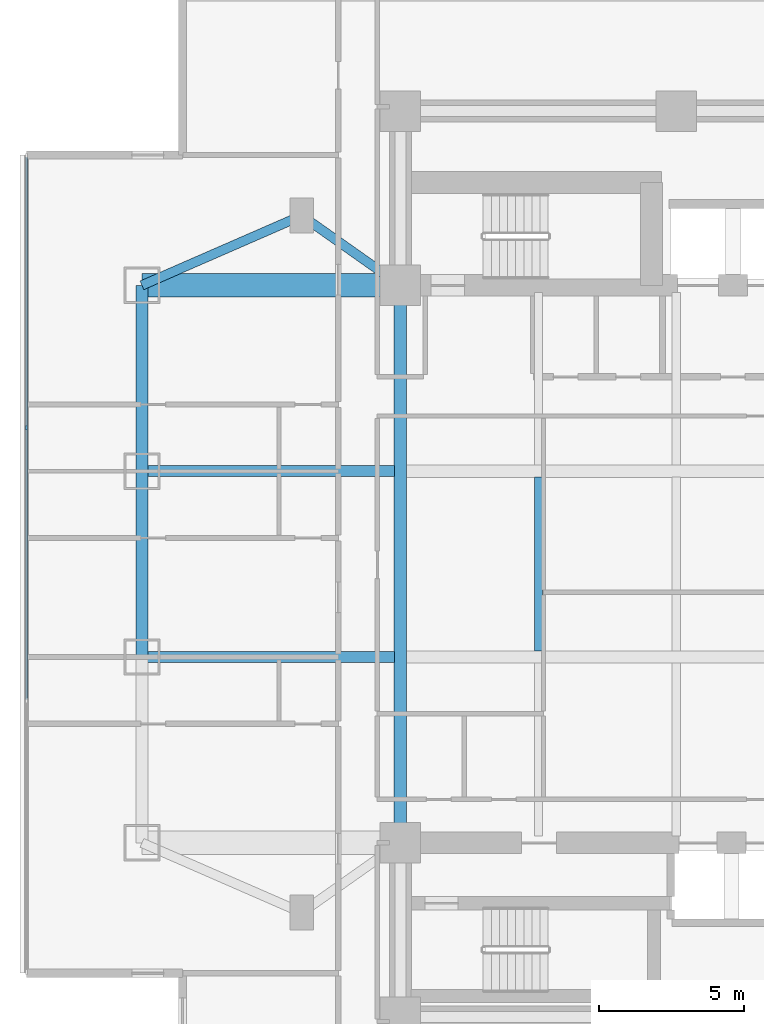
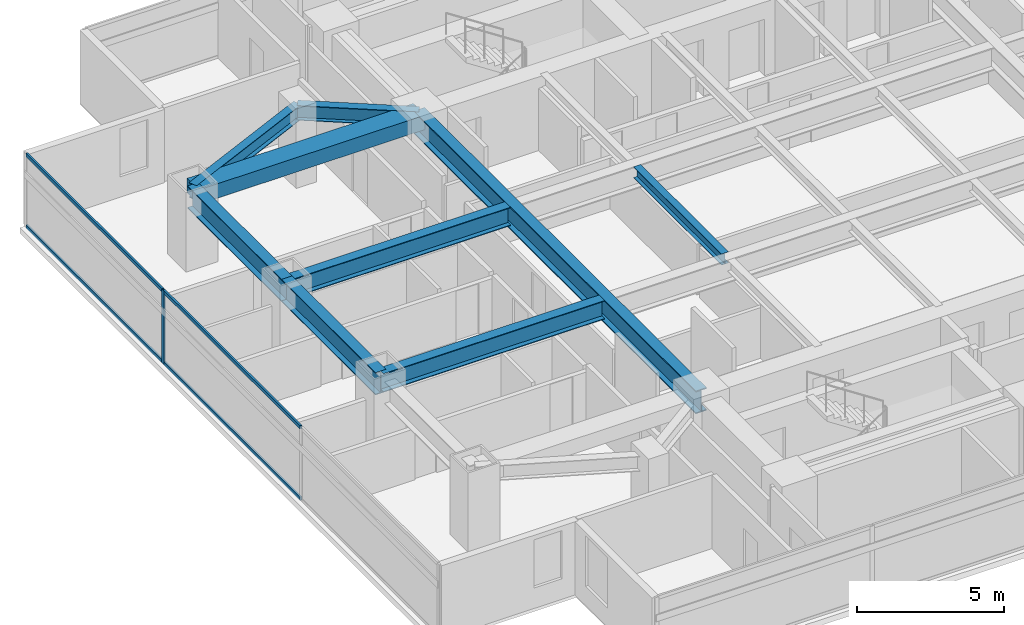
# One storey, part 3 of 26: 9 beams, 5 members, 1 element without a shape of its own.
"""IFC4 building model written with IfcOpenShell, lengths in metres."""

from ifc_helpers import new_model, si_unit, direction, frame, origin, origin_2d, place, context, subcontext, project, spatial, rectangle, i_section, extrude, material, material_profile, profile_set, type_object, element, aggregate, save


model = new_model("IFC4")

# Units and contexts
model_context = context("Model", 3, precision=1e-05, world=origin(), true_north=direction((0.0, 1.0)))
body_context = subcontext(model_context, "Body", "Model", "MODEL_VIEW")
ifc_project = project(units=[si_unit("LENGTHUNIT", "METRE"), si_unit("AREAUNIT", "SQUARE_METRE"), si_unit("VOLUMEUNIT", "CUBIC_METRE"), si_unit("PLANEANGLEUNIT", "RADIAN"), si_unit("MASSUNIT", "GRAM", prefix="KILO")], contexts=[model_context])

# Site, building, storey
site_placement = place(None, origin())
site = spatial("IfcSite", under=ifc_project, at=site_placement, CompositionType="ELEMENT")
building_placement = place(site_placement, origin())
building = spatial("IfcBuilding", under=site, at=building_placement, Name="Mirazonda Arch Towers", CompositionType="ELEMENT")
storey_placement = place(building_placement, frame((0.0, 0.0, 38.89990234375)))
storey = spatial("IfcBuildingStorey", under=building, at=storey_placement, Name="L10", CompositionType="ELEMENT", Elevation=38.89990234375)

# Beams
ifc_material_1 = material(Name="Steel ASTM A992 Grade 50", Category="steel")
ifc_material_profile_1 = material_profile(ifc_material_1, i_section(OverallWidth=0.41796875, OverallDepth=0.927001953125, WebThickness=0.019287109375, FlangeThickness=0.031982421875, at=origin_2d()), Name="W36X231")
ifc_profile_set_1 = profile_set([ifc_material_profile_1], Name="Steel ASTM A992 Grade 50")
beam_type_1 = type_object("IfcBeamType", Name="BM-EXT-W36X231", PredefinedType="USERDEFINED", material=ifc_profile_set_1)
beam_1_placement = place(storey_placement, frame((2.10009765625, 24.800048828125, 2.5966796875), z_axis=(0.0, 1.0, 0.0), x_axis=(-1.0, 0.0, 0.0)))
element("IfcBeam", 1, at=beam_1_placement, inside=storey, type_object=beam_type_1, Name="L10 Floor Beam BM-T1-L10-NS-W-24", ObjectType="GIRDER", PredefinedType="USERDEFINED", context=body_context, shape_type="SweptSolid", body=[
    extrude(i_section(OverallWidth=0.41796875, OverallDepth=0.927001953125, WebThickness=0.019287109375, FlangeThickness=0.031982421875, at=origin_2d()), origin(), (0.0, 0.0, 1.0), 6.39990234375),
])
beam_2_placement = place(storey_placement, frame((2.10009765625, 31.199951171875, 2.5966796875), z_axis=(0.0, 1.0, 0.0), x_axis=(-1.0, 0.0, 0.0)))
element("IfcBeam", 2, at=beam_2_placement, inside=storey, type_object=beam_type_1, Name="L10 Floor Beam BM-T1-L10-NS-W-31", ObjectType="GIRDER", PredefinedType="USERDEFINED", context=body_context, shape_type="SweptSolid", body=[
    extrude(i_section(OverallWidth=0.41796875, OverallDepth=0.927001953125, WebThickness=0.019287109375, FlangeThickness=0.031982421875, at=origin_2d()), origin(), (0.0, 0.0, 1.0), 6.400146484375),
])
ifc_material_profile_2 = material_profile(ifc_material_1, i_section(OverallWidth=0.280029296875, OverallDepth=0.462890625, WebThickness=0.0107421875, FlangeThickness=0.017333984375, at=origin_2d()), Name="W18X76")
ifc_profile_set_2 = profile_set([ifc_material_profile_2], Name="Steel ASTM A992 Grade 50")
beam_type_2 = type_object("IfcBeamType", Name="BM-INT-W18X76", PredefinedType="JOIST", material=ifc_profile_set_2)
beam_3_placement = place(storey_placement, frame((15.75, 25.007568359375, 2.82861328125), z_axis=(0.0, 1.0, 0.0), x_axis=(-1.0, 0.0, 0.0)))
element("IfcBeam", 3, at=beam_3_placement, inside=storey, type_object=beam_type_2, Name="L10 Floor Beam BM-T1-L10-J-157-24", PredefinedType="JOIST", context=body_context, shape_type="SweptSolid", body=[
    extrude(i_section(OverallWidth=0.280029296875, OverallDepth=0.462890625, WebThickness=0.0107421875, FlangeThickness=0.017333984375, at=origin_2d()), origin(), (0.0, 0.0, 1.0), 5.98486328125),
])
ifc_material_profile_3 = material_profile(ifc_material_1, i_section(OverallWidth=0.324951171875, OverallDepth=0.615966796875, WebThickness=0.013916015625, FlangeThickness=0.021484375, at=origin_2d()), Name="W24X117")
ifc_profile_set_3 = profile_set([ifc_material_profile_3], Name="Steel ASTM A992 Grade 50")
beam_type_3 = type_object("IfcBeamType", Name="BM-INT-W24X117", PredefinedType="BEAM", material=ifc_profile_set_3)
beam_4_placement = place(storey_placement, frame((7.60009765625, 40.0, 2.752197265625), z_axis=(0.816971114901, -0.576678591087, 0.0), x_axis=(0.576678591087, 0.816971114901, 0.0)))
element("IfcBeam", 4, at=beam_4_placement, inside=storey, type_object=beam_type_3, Name="L10 Floor Beam BM-T1-L10-PL-NW1", PredefinedType="BEAM", context=body_context, shape_type="SweptSolid", body=[
    extrude(i_section(OverallWidth=0.324951171875, OverallDepth=0.615966796875, WebThickness=0.013916015625, FlangeThickness=0.021484375, at=origin_2d()), origin(), (0.0, 0.0, 1.0), 4.16162109375),
])
beam_5_placement = place(storey_placement, frame((7.60009765625, 40.0, 2.752197265625), z_axis=(-0.916545343703, -0.399930785183, 0.0), x_axis=(0.399930785183, -0.916545343703, 0.0)))
element("IfcBeam", 5, at=beam_5_placement, inside=storey, type_object=beam_type_3, Name="L10 Floor Beam BM-T1-L10-PL-NW2", PredefinedType="BEAM", context=body_context, shape_type="SweptSolid", body=[
    extrude(i_section(OverallWidth=0.324951171875, OverallDepth=0.615966796875, WebThickness=0.013916015625, FlangeThickness=0.021484375, at=origin_2d()), origin(), (0.0, 0.0, 1.0), 6.000732421875),
])
ifc_material_profile_4 = material_profile(ifc_material_1, i_section(OverallWidth=0.381103515625, OverallDepth=0.77294921875, WebThickness=0.0166015625, FlangeThickness=0.027099609375, at=origin_2d()), Name="W30X173")
ifc_profile_set_4 = profile_set([ifc_material_profile_4], Name="Steel ASTM A992 Grade 50")
beam_type_4 = type_object("IfcBeamType", Name="BM-INT-W30X173", PredefinedType="USERDEFINED", material=ifc_profile_set_4)
for number, where, z_axis, x_axis, name in (
    (6, (2.10009765625, 24.800048828125, 2.673583984375), (1.0, 0.0, 0.0), (0.0, 1.0, 0.0), "L10 Floor Beam BM-T1-L10-GW2"),
    (7, (2.10009765625, 31.199951171875, 2.673583984375), (1.0, 0.0, 0.0), (0.0, 1.0, 0.0), "L10 Floor Beam BM-T1-L10-GW3"),
):
    element("IfcBeam", number, at=place(storey_placement, frame(where, z_axis=z_axis, x_axis=x_axis)), inside=storey, type_object=beam_type_4, Name=name, ObjectType="GIRDER", PredefinedType="USERDEFINED", context=body_context, shape_type="SweptSolid", body=[
        extrude(i_section(OverallWidth=0.381103515625, OverallDepth=0.77294921875, WebThickness=0.0166015625, FlangeThickness=0.027099609375, at=origin_2d()), origin(), (0.0, 0.0, 1.0), 8.6884765625),
    ])
ifc_material_profile_5 = material_profile(ifc_material_1, i_section(OverallWidth=0.423095703125, OverallDepth=0.947998046875, WebThickness=0.02392578125, FlangeThickness=0.042724609375, at=origin_2d()), Name="W36X302")
ifc_profile_set_5 = profile_set([ifc_material_profile_5], Name="Steel ASTM A992 Grade 50")
beam_type_5 = type_object("IfcBeamType", Name="BM-INT-W36X302", PredefinedType="USERDEFINED", material=ifc_profile_set_5)
beam_6_placement = place(storey_placement, frame((11.0, 18.39990234375, 2.586181640625), z_axis=(0.0, 1.0, 0.0), x_axis=(-1.0, 0.0, 0.0)))
element("IfcBeam", 8, at=beam_6_placement, inside=storey, type_object=beam_type_5, Name="L10 Floor Beam BM-T1-L10-NS-CW-FULL", ObjectType="GIRDER", PredefinedType="USERDEFINED", context=body_context, shape_type="SweptSolid", body=[
    extrude(i_section(OverallWidth=0.423095703125, OverallDepth=0.947998046875, WebThickness=0.02392578125, FlangeThickness=0.042724609375, at=origin_2d()), origin(), (0.0, 0.0, 1.0), 19.2001953125),
])
ifc_material_2 = material(Name="Concrete C60/75", Category="concrete")
ifc_material_profile_6 = material_profile(ifc_material_2, rectangle(XDim=0.800048828125, YDim=0.60009765625, at=origin_2d()), Name="RCCB800x600")
ifc_profile_set_6 = profile_set([ifc_material_profile_6], Name="Concrete C60/75")
beam_type_6 = type_object("IfcBeamType", Name="CB-INT-RCCB800x600", PredefinedType="SPANDREL", material=ifc_profile_set_6)
beam_7_placement = place(storey_placement, frame((2.10009765625, 37.60009765625, 2.760009765625), z_axis=(1.0, 0.0, 0.0), x_axis=(0.0, 1.0, 0.0)))
element("IfcBeam", 9, at=beam_7_placement, inside=storey, type_object=beam_type_6, Name="L10 Floor Beam CBC-T1-L10-NW", PredefinedType="SPANDREL", context=body_context, shape_type="SweptSolid", body=[
    extrude(rectangle(XDim=0.800048828125, YDim=0.60009765625, at=origin_2d()), origin(), (0.0, 0.0, 1.0), 8.89990234375),
])

# Curtain wall, members
ifc_material_3 = material(Name="Anodised Aluminium and Low-E Glass", Category="aluminium")
curtain_wall_type = type_object("IfcCurtainWallType", Name="CW-HTL-UNIT", PredefinedType="NOTDEFINED", material=ifc_material_3)
curtain_wall_placement = place(storey_placement, origin())
curtain_wall = element("IfcCurtainWall", 10, at=curtain_wall_placement, inside=storey, type_object=curtain_wall_type, Name="L10 T1 W Facade CW-L10-T1-W", PredefinedType="NOTDEFINED")
ifc_material_4 = material(Name="Anodised Aluminium Alloy", Category="aluminium")
ifc_material_profile_7 = material_profile(ifc_material_4, rectangle(XDim=0.074951171875, YDim=0.1650390625, at=origin_2d()), Name="ALU-MULL-75x165")
ifc_profile_set_7 = profile_set([ifc_material_profile_7], Name="Anodised Aluminium Alloy")
member_type_1 = type_object("IfcMemberType", Name="MULL-CW-HTL-UNIT", PredefinedType="MULLION", material=ifc_profile_set_7)
member_1_placement = place(storey_placement, frame((-1.8798828125, 32.69677734375, 0.0), z_axis=(0.0, 0.0, 1.0), x_axis=(1.0, 0.0, 0.0)))
member_1 = element("IfcMember", 11, at=member_1_placement, type_object=member_type_1, Name="CW-112 mullion 2", PredefinedType="MULLION", context=body_context, shape_type="SweptSolid", body=[
    extrude(rectangle(XDim=0.074951171875, YDim=0.1650390625, at=origin_2d()), origin(), (0.0, 0.0, 1.0), 3.0400390625),
])
ifc_material_profile_8 = material_profile(ifc_material_4, rectangle(XDim=0.074951171875, YDim=0.14501953125, at=origin_2d()), Name="ALU-TRAN-75x145")
ifc_profile_set_8 = profile_set([ifc_material_profile_8], Name="Anodised Aluminium Alloy")
member_type_2 = type_object("IfcMemberType", Name="TRAN-CW-HTL-UNIT", PredefinedType="USERDEFINED", material=ifc_profile_set_8)
member_2_placement = place(storey_placement, frame((-1.8798828125, 42.014892578125, 0.03759765625), z_axis=(0.0, -1.0, 0.0), x_axis=(1.0, 0.0, 0.0)))
member_2 = element("IfcMember", 12, at=member_2_placement, type_object=member_type_2, Name="CW-112 transom 1.1", ObjectType="TRANSOM", PredefinedType="USERDEFINED", context=body_context, shape_type="SweptSolid", body=[
    extrude(rectangle(XDim=0.074951171875, YDim=0.14501953125, at=origin_2d()), origin(), (0.0, 0.0, 1.0), 9.28076171875),
])
member_3_placement = place(storey_placement, frame((-1.8798828125, 42.014892578125, 3.002685546875), z_axis=(0.0, -1.0, 0.0), x_axis=(1.0, 0.0, 0.0)))
member_3 = element("IfcMember", 13, at=member_3_placement, type_object=member_type_2, Name="CW-112 transom 1.2", ObjectType="TRANSOM", PredefinedType="USERDEFINED", context=body_context, shape_type="SweptSolid", body=[
    extrude(rectangle(XDim=0.074951171875, YDim=0.14501953125, at=origin_2d()), origin(), (0.0, 0.0, 1.0), 9.28076171875),
])
member_4_placement = place(storey_placement, frame((-1.8798828125, 32.6591796875, 0.03759765625), z_axis=(0.0, -1.0, 0.0), x_axis=(1.0, 0.0, 0.0)))
member_4 = element("IfcMember", 14, at=member_4_placement, type_object=member_type_2, Name="CW-112 transom 2.1", ObjectType="TRANSOM", PredefinedType="USERDEFINED", context=body_context, shape_type="SweptSolid", body=[
    extrude(rectangle(XDim=0.074951171875, YDim=0.14501953125, at=origin_2d()), origin(), (0.0, 0.0, 1.0), 9.318359375),
])
member_5_placement = place(storey_placement, frame((-1.8798828125, 32.6591796875, 3.002685546875), z_axis=(0.0, -1.0, 0.0), x_axis=(1.0, 0.0, 0.0)))
member_5 = element("IfcMember", 15, at=member_5_placement, type_object=member_type_2, Name="CW-112 transom 2.2", ObjectType="TRANSOM", PredefinedType="USERDEFINED", context=body_context, shape_type="SweptSolid", body=[
    extrude(rectangle(XDim=0.074951171875, YDim=0.14501953125, at=origin_2d()), origin(), (0.0, 0.0, 1.0), 9.318359375),
])
aggregate(curtain_wall, [member_1, member_2, member_3, member_4, member_5])

save(model, "model.ifc")
